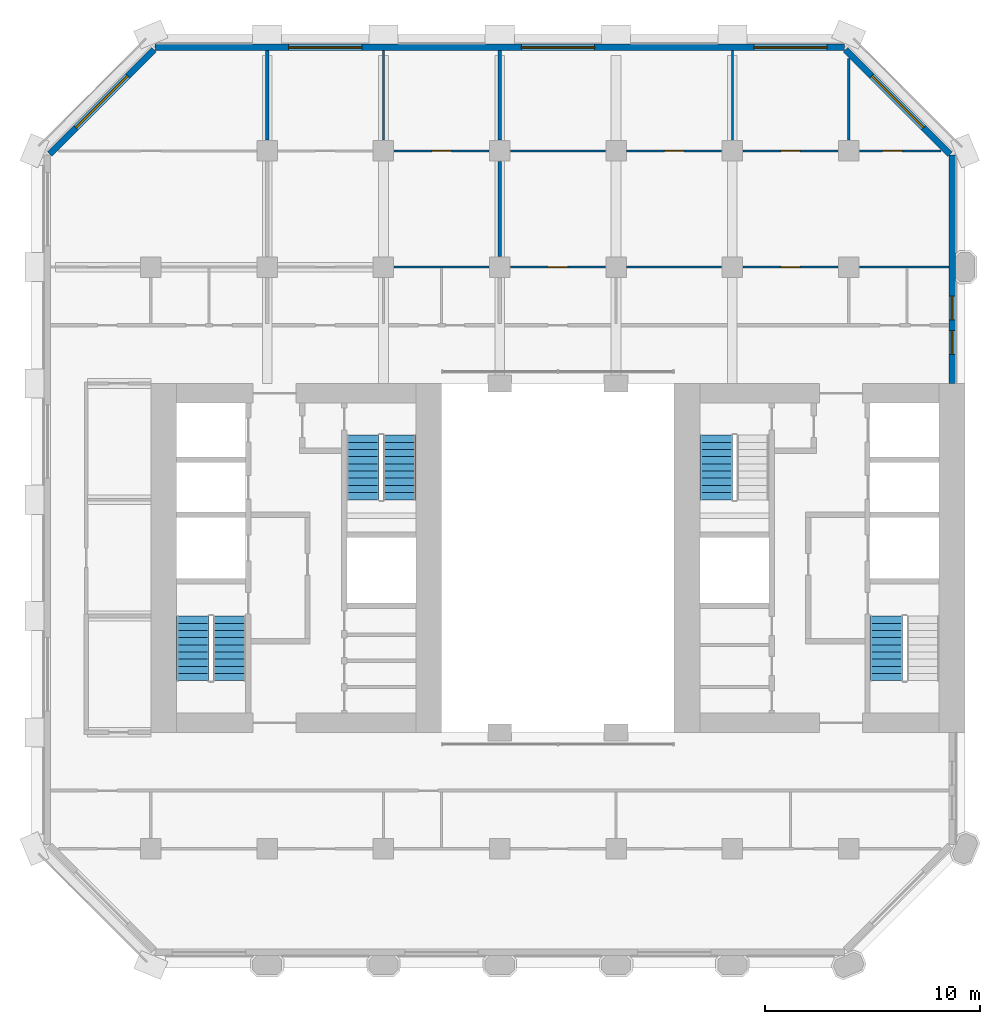
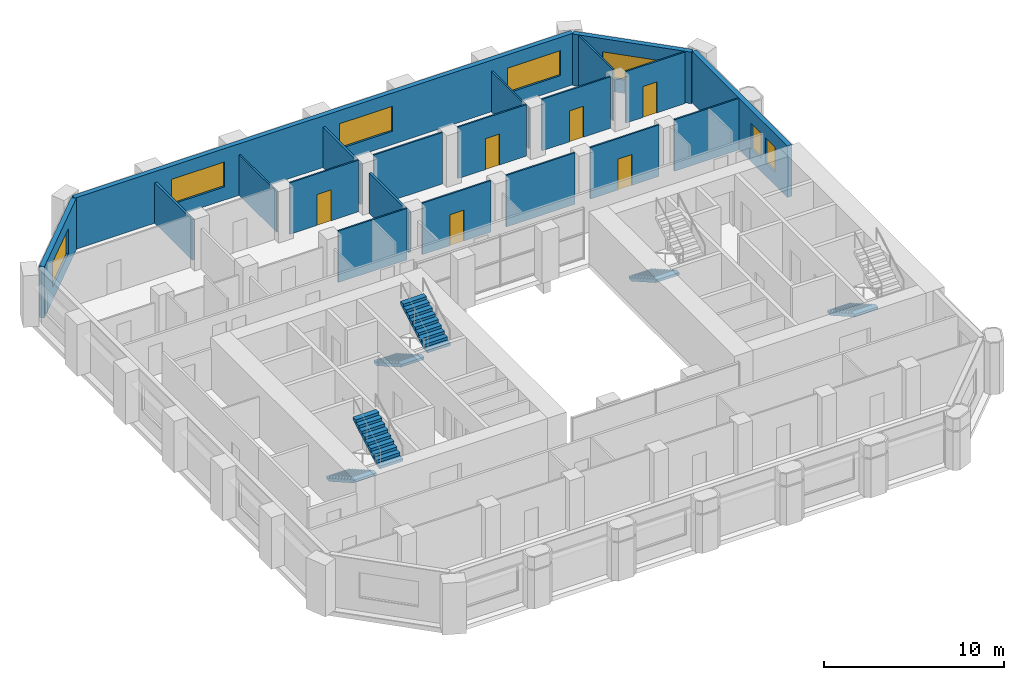
# One storey, part 9 of 13: 20 walls, 7 windows, 6 doors, 6 stair flights, 13 openings, 4 elements without a shape of their own.
"""IFC4 building model written with IfcOpenShell, lengths in metres."""

from ifc_helpers import new_model, si_unit, direction, frame, frame_2d, origin, place, context, subcontext, project, spatial, polyline, rectangle, outline, extrude, material, layer, layer_set, type_object, element, fill, aggregate, save


model = new_model("IFC4")

# Units and contexts
model_context = context("Model", 3, precision=1e-05, world=origin(), true_north=direction((0.0, 1.0)))
body_context = subcontext(model_context, "Body", "Model", "MODEL_VIEW")
ifc_project = project(units=[si_unit("LENGTHUNIT", "METRE"), si_unit("AREAUNIT", "SQUARE_METRE"), si_unit("VOLUMEUNIT", "CUBIC_METRE"), si_unit("PLANEANGLEUNIT", "RADIAN"), si_unit("MASSUNIT", "GRAM", prefix="KILO")], contexts=[model_context])

# Site, building, storey
site_placement = place(None, origin())
site = spatial("IfcSite", under=ifc_project, at=site_placement, CompositionType="ELEMENT")
building_placement = place(site_placement, origin())
building = spatial("IfcBuilding", under=site, at=building_placement, Name="Tabaq Tower and Sports Hall", CompositionType="ELEMENT")
storey_placement = place(building_placement, frame((0.0, 0.0, 103.0)))
storey = spatial("IfcBuildingStorey", under=building, at=storey_placement, Name="L24", CompositionType="ELEMENT", Elevation=103.0)

# Wall
ifc_material_1 = material(Name="Gypsum board on steel studs", Category="steel")
ifc_layer_1 = layer(ifc_material_1, 0.10009765625)
ifc_layer_set_1 = layer_set([ifc_layer_1], Name="Partition 100 Gypsum board")
wall_type_1 = type_object("IfcWallType", Name="Partition 100 Gypsum board", PredefinedType="PARTITIONING", material=ifc_layer_set_1)
wall_1_placement = place(storey_placement, frame((21.10498046875, 37.800048828125, 0.0), z_axis=(0.0, 0.0, 1.0), x_axis=(-1.0, 0.0, 0.0)))
element("IfcWall", 1, at=wall_1_placement, inside=storey, type_object=wall_type_1, Name="Partition wall L24", PredefinedType="PARTITIONING", context=body_context, shape_type="SweptSolid", body=[
    extrude(rectangle(XDim=4.409912109375, YDim=0.10009765625, at=frame_2d((2.205078125, 0.0))), origin(), (0.0, 0.0, 1.0), 3.5),
])

# Wall, opening, door
wall_2_placement = place(storey_placement, frame((21.10498046875, 43.199951171875, 0.0), z_axis=(0.0, 0.0, 1.0), x_axis=(-1.0, 0.0, 0.0)))
wall_2 = element("IfcWall", 2, at=wall_2_placement, inside=storey, type_object=wall_type_1, Name="Partition wall L24", PredefinedType="PARTITIONING", context=body_context, shape_type="SweptSolid", body=[
    extrude(rectangle(XDim=4.409912109375, YDim=0.10009765625, at=frame_2d((2.205078125, 0.0))), origin(), (0.0, 0.0, 1.0), 3.5),
])
opening_1_placement = place(wall_2_placement, frame((1.7548828125, 0.0, 0.0)))
opening_1 = element("IfcOpeningElement", 3, at=opening_1_placement, cuts=wall_2, Name="Opening L24-013", PredefinedType="OPENING", context=body_context, shape_type="SweptSolid", body=[
    extrude(rectangle(XDim=0.89990234375, YDim=2.10009765625, at=frame_2d((0.449951171875, 1.050048828125))), frame((0.0, 0.050048828125, 0.0), z_axis=(0.0, -1.0, 0.0), x_axis=(1.0, 0.0, 0.0)), (0.0, 0.0, 1.0), 0.10009765625),
])
ifc_material_2 = material(Name="Timber leaf in steel frame", Category="steel")
door_type_1 = type_object("IfcDoorType", Name="Internal door 900 right hand", OperationType="SINGLE_SWING_RIGHT", PredefinedType="DOOR", material=ifc_material_2)
door_1_placement = place(opening_1_placement, origin())
door_1 = element("IfcDoor", 4, at=door_1_placement, inside=storey, type_object=door_type_1, Name="Internal door L24-013", OperationType="SINGLE_SWING_RIGHT", OverallHeight=2.10009765625, OverallWidth=0.89990234375, PredefinedType="DOOR", context=body_context, shape_type="SweptSolid", body=[
    extrude(rectangle(XDim=0.89990234375, YDim=2.10009765625, at=frame_2d((0.449951171875, 1.050048828125))), frame((0.0, 0.02490234375, 0.0), z_axis=(0.0, -1.0, 0.0), x_axis=(1.0, 0.0, 0.0)), (0.0, 0.0, 1.0), 0.050048828125),
])
fill(opening_1, door_1)

# Wall
wall_3_placement = place(storey_placement, frame((16.199951171875, 43.695068359375, 0.0), z_axis=(0.0, 0.0, 1.0), x_axis=(0.0, 1.0, 0.0)))
element("IfcWall", 5, at=wall_3_placement, inside=storey, type_object=wall_type_1, Name="Partition wall L24", PredefinedType="PARTITIONING", context=body_context, shape_type="SweptSolid", body=[
    extrude(rectangle(XDim=4.154052734375, YDim=0.10009765625, at=frame_2d((2.0771484375, 0.0))), origin(), (0.0, 0.0, 1.0), 2.75),
])

# Wall, opening, door
wall_4_placement = place(storey_placement, frame((26.5048828125, 37.800048828125, 0.0), z_axis=(0.0, 0.0, 1.0), x_axis=(-1.0, 0.0, 0.0)))
wall_4 = element("IfcWall", 6, at=wall_4_placement, inside=storey, type_object=wall_type_1, Name="Partition wall L24", PredefinedType="PARTITIONING", context=body_context, shape_type="SweptSolid", body=[
    extrude(rectangle(XDim=4.409912109375, YDim=0.10009765625, at=frame_2d((2.205078125, 0.0))), origin(), (0.0, 0.0, 1.0), 3.5),
])
opening_2_placement = place(wall_4_placement, frame((1.7548828125, 0.0, 0.0)))
opening_2 = element("IfcOpeningElement", 7, at=opening_2_placement, cuts=wall_4, Name="Opening L24-028", PredefinedType="OPENING", context=body_context, shape_type="SweptSolid", body=[
    extrude(rectangle(XDim=0.89990234375, YDim=2.10009765625, at=frame_2d((0.449951171875, 1.050048828125))), frame((0.0, 0.050048828125, 0.0), z_axis=(0.0, -1.0, 0.0), x_axis=(1.0, 0.0, 0.0)), (0.0, 0.0, 1.0), 0.10009765625),
])
door_2_placement = place(opening_2_placement, origin())
door_2 = element("IfcDoor", 8, at=door_2_placement, inside=storey, type_object=door_type_1, Name="Internal door L24-028", OperationType="SINGLE_SWING_RIGHT", OverallHeight=2.10009765625, OverallWidth=0.89990234375, PredefinedType="DOOR", context=body_context, shape_type="SweptSolid", body=[
    extrude(rectangle(XDim=0.89990234375, YDim=2.10009765625, at=frame_2d((0.449951171875, 1.050048828125))), frame((0.0, 0.02490234375, 0.0), z_axis=(0.0, -1.0, 0.0), x_axis=(1.0, 0.0, 0.0)), (0.0, 0.0, 1.0), 0.050048828125),
])
fill(opening_2, door_2)

wall_5_placement = place(storey_placement, frame((37.304931640625, 37.800048828125, 0.0), z_axis=(0.0, 0.0, 1.0), x_axis=(-1.0, 0.0, 0.0)))
wall_5 = element("IfcWall", 9, at=wall_5_placement, inside=storey, type_object=wall_type_1, Name="Partition wall L24", PredefinedType="PARTITIONING", context=body_context, shape_type="SweptSolid", body=[
    extrude(rectangle(XDim=4.409912109375, YDim=0.10009765625, at=frame_2d((2.205078125, 0.0))), origin(), (0.0, 0.0, 1.0), 3.5),
])
opening_3_placement = place(wall_5_placement, frame((1.7548828125, 0.0, 0.0)))
opening_3 = element("IfcOpeningElement", 10, at=opening_3_placement, cuts=wall_5, Name="Opening L24-014", PredefinedType="OPENING", context=body_context, shape_type="SweptSolid", body=[
    extrude(rectangle(XDim=0.89990234375, YDim=2.10009765625, at=frame_2d((0.449951171875, 1.050048828125))), frame((0.0, 0.050048828125, 0.0), z_axis=(0.0, -1.0, 0.0), x_axis=(1.0, 0.0, 0.0)), (0.0, 0.0, 1.0), 0.10009765625),
])
ifc_material_3 = material(Name="Timber leaf in steel frame", Category="steel")
door_type_2 = type_object("IfcDoorType", Name="Internal door 900 left hand", OperationType="SINGLE_SWING_LEFT", PredefinedType="DOOR", material=ifc_material_3)
door_3_placement = place(opening_3_placement, origin())
door_3 = element("IfcDoor", 11, at=door_3_placement, inside=storey, type_object=door_type_2, Name="Internal door L24-014", OperationType="SINGLE_SWING_LEFT", OverallHeight=2.10009765625, OverallWidth=0.89990234375, PredefinedType="DOOR", context=body_context, shape_type="SweptSolid", body=[
    extrude(rectangle(XDim=0.89990234375, YDim=2.10009765625, at=frame_2d((0.449951171875, 1.050048828125))), frame((0.0, 0.02490234375, 0.0), z_axis=(0.0, -1.0, 0.0), x_axis=(1.0, 0.0, 0.0)), (0.0, 0.0, 1.0), 0.050048828125),
])
fill(opening_3, door_3)

# Walls
wall_6_placement = place(storey_placement, frame((31.905029296875, 37.800048828125, 0.0), z_axis=(0.0, 0.0, 1.0), x_axis=(-1.0, 0.0, 0.0)))
element("IfcWall", 12, at=wall_6_placement, inside=storey, type_object=wall_type_1, Name="Partition wall L24", PredefinedType="PARTITIONING", context=body_context, shape_type="SweptSolid", body=[
    extrude(rectangle(XDim=4.409912109375, YDim=0.10009765625, at=frame_2d((2.205078125, 0.0))), origin(), (0.0, 0.0, 1.0), 3.5),
])
wall_7_placement = place(storey_placement, frame((42.448974609375, 37.800048828125, 0.0), z_axis=(0.0, 0.0, 1.0), x_axis=(-1.0, 0.0, 0.0)))
element("IfcWall", 13, at=wall_7_placement, inside=storey, type_object=wall_type_1, Name="Partition wall L24", PredefinedType="PARTITIONING", context=body_context, shape_type="SweptSolid", body=[
    extrude(rectangle(XDim=4.154052734375, YDim=0.10009765625, at=frame_2d((2.0771484375, 0.0))), origin(), (0.0, 0.0, 1.0), 3.5),
])

# Wall, opening, door
wall_8_placement = place(storey_placement, frame((42.087890625, 43.199951171875, 0.0), z_axis=(0.0, 0.0, 1.0), x_axis=(-1.0, 0.0, 0.0)))
wall_8 = element("IfcWall", 14, at=wall_8_placement, inside=storey, type_object=wall_type_1, Name="Partition wall L24", PredefinedType="PARTITIONING", context=body_context, shape_type="SweptSolid", body=[
    extrude(rectangle(XDim=3.79296875, YDim=0.10009765625, at=frame_2d((1.896484375, 0.0))), origin(), (0.0, 0.0, 1.0), 3.5),
])
opening_4_placement = place(wall_8_placement, frame((1.81298828125, 0.0, 0.0)))
opening_4 = element("IfcOpeningElement", 15, at=opening_4_placement, cuts=wall_8, Name="Opening L24-017", PredefinedType="OPENING", context=body_context, shape_type="SweptSolid", body=[
    extrude(rectangle(XDim=0.89990234375, YDim=2.10009765625, at=frame_2d((0.449951171875, 1.050048828125))), frame((0.0, 0.050048828125, 0.0), z_axis=(0.0, -1.0, 0.0), x_axis=(1.0, 0.0, 0.0)), (0.0, 0.0, 1.0), 0.10009765625),
])
door_4_placement = place(opening_4_placement, origin())
door_4 = element("IfcDoor", 16, at=door_4_placement, inside=storey, type_object=door_type_2, Name="Internal door L24-017", OperationType="SINGLE_SWING_LEFT", OverallHeight=2.10009765625, OverallWidth=0.89990234375, PredefinedType="DOOR", context=body_context, shape_type="SweptSolid", body=[
    extrude(rectangle(XDim=0.89990234375, YDim=2.10009765625, at=frame_2d((0.449951171875, 1.050048828125))), frame((0.0, 0.02490234375, 0.0), z_axis=(0.0, -1.0, 0.0), x_axis=(1.0, 0.0, 0.0)), (0.0, 0.0, 1.0), 0.050048828125),
])
fill(opening_4, door_4)

wall_9_placement = place(storey_placement, frame((37.304931640625, 43.199951171875, 0.0), z_axis=(0.0, 0.0, 1.0), x_axis=(-1.0, 0.0, 0.0)))
wall_9 = element("IfcWall", 17, at=wall_9_placement, inside=storey, type_object=wall_type_1, Name="Partition wall L24", PredefinedType="PARTITIONING", context=body_context, shape_type="SweptSolid", body=[
    extrude(rectangle(XDim=4.409912109375, YDim=0.10009765625, at=frame_2d((2.205078125, 0.0))), origin(), (0.0, 0.0, 1.0), 3.5),
])
opening_5_placement = place(wall_9_placement, frame((1.7548828125, 0.0, 0.0)))
opening_5 = element("IfcOpeningElement", 18, at=opening_5_placement, cuts=wall_9, Name="Opening L24-016", PredefinedType="OPENING", context=body_context, shape_type="SweptSolid", body=[
    extrude(rectangle(XDim=0.89990234375, YDim=2.10009765625, at=frame_2d((0.449951171875, 1.050048828125))), frame((0.0, 0.050048828125, 0.0), z_axis=(0.0, -1.0, 0.0), x_axis=(1.0, 0.0, 0.0)), (0.0, 0.0, 1.0), 0.10009765625),
])
door_5_placement = place(opening_5_placement, origin())
door_5 = element("IfcDoor", 19, at=door_5_placement, inside=storey, type_object=door_type_2, Name="Internal door L24-016", OperationType="SINGLE_SWING_LEFT", OverallHeight=2.10009765625, OverallWidth=0.89990234375, PredefinedType="DOOR", context=body_context, shape_type="SweptSolid", body=[
    extrude(rectangle(XDim=0.89990234375, YDim=2.10009765625, at=frame_2d((0.449951171875, 1.050048828125))), frame((0.0, 0.02490234375, 0.0), z_axis=(0.0, -1.0, 0.0), x_axis=(1.0, 0.0, 0.0)), (0.0, 0.0, 1.0), 0.050048828125),
])
fill(opening_5, door_5)

wall_10_placement = place(storey_placement, frame((31.905029296875, 43.199951171875, 0.0), z_axis=(0.0, 0.0, 1.0), x_axis=(-1.0, 0.0, 0.0)))
wall_10 = element("IfcWall", 20, at=wall_10_placement, inside=storey, type_object=wall_type_1, Name="Partition wall L24", PredefinedType="PARTITIONING", context=body_context, shape_type="SweptSolid", body=[
    extrude(rectangle(XDim=4.409912109375, YDim=0.10009765625, at=frame_2d((2.205078125, 0.0))), origin(), (0.0, 0.0, 1.0), 3.5),
])
opening_6_placement = place(wall_10_placement, frame((1.7548828125, 0.0, 0.0)))
opening_6 = element("IfcOpeningElement", 21, at=opening_6_placement, cuts=wall_10, Name="Opening L24-015", PredefinedType="OPENING", context=body_context, shape_type="SweptSolid", body=[
    extrude(rectangle(XDim=0.89990234375, YDim=2.10009765625, at=frame_2d((0.449951171875, 1.050048828125))), frame((0.0, 0.050048828125, 0.0), z_axis=(0.0, -1.0, 0.0), x_axis=(1.0, 0.0, 0.0)), (0.0, 0.0, 1.0), 0.10009765625),
])
door_6_placement = place(opening_6_placement, origin())
door_6 = element("IfcDoor", 22, at=door_6_placement, inside=storey, type_object=door_type_2, Name="Internal door L24-015", OperationType="SINGLE_SWING_LEFT", OverallHeight=2.10009765625, OverallWidth=0.89990234375, PredefinedType="DOOR", context=body_context, shape_type="SweptSolid", body=[
    extrude(rectangle(XDim=0.89990234375, YDim=2.10009765625, at=frame_2d((0.449951171875, 1.050048828125))), frame((0.0, 0.02490234375, 0.0), z_axis=(0.0, -1.0, 0.0), x_axis=(1.0, 0.0, 0.0)), (0.0, 0.0, 1.0), 0.050048828125),
])
fill(opening_6, door_6)

# Walls
wall_11_placement = place(storey_placement, frame((26.5048828125, 43.199951171875, 0.0), z_axis=(0.0, 0.0, 1.0), x_axis=(-1.0, 0.0, 0.0)))
element("IfcWall", 23, at=wall_11_placement, inside=storey, type_object=wall_type_1, Name="Partition wall L24", PredefinedType="PARTITIONING", context=body_context, shape_type="SweptSolid", body=[
    extrude(rectangle(XDim=4.409912109375, YDim=0.10009765625, at=frame_2d((2.205078125, 0.0))), origin(), (0.0, 0.0, 1.0), 3.5),
])
wall_12_placement = place(storey_placement, frame((32.39990234375, 43.695068359375, 0.0), z_axis=(0.0, 0.0, 1.0), x_axis=(0.0, 1.0, 0.0)))
element("IfcWall", 24, at=wall_12_placement, inside=storey, type_object=wall_type_1, Name="Partition wall L24", PredefinedType="PARTITIONING", context=body_context, shape_type="SweptSolid", body=[
    extrude(rectangle(XDim=4.154052734375, YDim=0.10009765625, at=frame_2d((2.0771484375, 0.0))), origin(), (0.0, 0.0, 1.0), 2.75),
])
wall_13_placement = place(storey_placement, frame((37.800048828125, 43.695068359375, 0.0), z_axis=(0.0, 0.0, 1.0), x_axis=(0.0, 1.0, 0.0)))
element("IfcWall", 25, at=wall_13_placement, inside=storey, type_object=wall_type_1, Name="Partition wall L24", PredefinedType="PARTITIONING", context=body_context, shape_type="SweptSolid", body=[
    extrude(rectangle(XDim=3.792724609375, YDim=0.10009765625, at=frame_2d((1.896484375, 0.0))), origin(), (0.0, 0.0, 1.0), 3.5),
])
ifc_material_4 = material(Name="Blockwork", Category="masonry")
ifc_layer_2 = layer(ifc_material_4, 0.14990234375)
ifc_layer_set_2 = layer_set([ifc_layer_2], Name="Separating wall 150 Blockwork")
wall_type_2 = type_object("IfcWallType", Name="Separating wall 150 Blockwork", PredefinedType="PARTITIONING", material=ifc_layer_set_2)
wall_14_placement = place(storey_placement, frame((10.800048828125, 43.695068359375, 0.0), z_axis=(0.0, 0.0, 1.0), x_axis=(0.0, 1.0, 0.0)))
element("IfcWall", 26, at=wall_14_placement, inside=storey, type_object=wall_type_2, Name="Separating wall L24", PredefinedType="PARTITIONING", context=body_context, shape_type="SweptSolid", body=[
    extrude(rectangle(XDim=4.154052734375, YDim=0.14990234375, at=frame_2d((2.0771484375, 0.0))), origin(), (0.0, 0.0, 1.0), 2.75),
])
wall_15_placement = place(storey_placement, frame((21.60009765625, 38.294921875, 0.0), z_axis=(0.0, 0.0, 1.0), x_axis=(0.0, 1.0, 0.0)))
element("IfcWall", 27, at=wall_15_placement, inside=storey, type_object=wall_type_2, Name="Separating wall L24", PredefinedType="PARTITIONING", context=body_context, shape_type="SweptSolid", body=[
    extrude(rectangle(XDim=4.41015625, YDim=0.14990234375, at=frame_2d((2.205078125, 0.0))), origin(), (0.0, 0.0, 1.0), 2.75),
])
wall_16_placement = place(storey_placement, frame((21.60009765625, 43.695068359375, 0.0), z_axis=(0.0, 0.0, 1.0), x_axis=(0.0, 1.0, 0.0)))
element("IfcWall", 28, at=wall_16_placement, inside=storey, type_object=wall_type_2, Name="Separating wall L24", PredefinedType="PARTITIONING", context=body_context, shape_type="SweptSolid", body=[
    extrude(rectangle(XDim=4.154052734375, YDim=0.14990234375, at=frame_2d((2.0771484375, 0.0))), origin(), (0.0, 0.0, 1.0), 2.75),
])

# Wall, openings, windows
ifc_material_5 = material(Name="White precast concrete C60/75", Category="concrete")
ifc_layer_3 = layer(ifc_material_5, 0.300048828125)
ifc_layer_set_3 = layer_set([ifc_layer_3], Name="White precast concrete C60/75 external wall 300")
wall_type_3 = type_object("IfcWallType", Name="White precast concrete C60/75 external wall 300", PredefinedType="SOLIDWALL", material=ifc_layer_set_3)
wall_17_placement = place(storey_placement, frame((42.60009765625, 32.39990234375, 0.0), z_axis=(0.0, 0.0, 1.0), x_axis=(0.0, 1.0, 0.0)))
wall_17 = element("IfcWall", 29, at=wall_17_placement, inside=storey, type_object=wall_type_3, Name="External Wall L24 E", PredefinedType="SOLIDWALL", context=body_context, shape_type="SweptSolid", body=[
    extrude(rectangle(XDim=10.61376953125, YDim=0.300048828125, at=frame_2d((5.306884765625, 0.0))), origin(), (0.0, 0.0, 1.0), 3.5),
])
opening_7_placement = place(wall_17_placement, frame((1.35009765625, 0.0, 0.89990234375)))
opening_7 = element("IfcOpeningElement", 30, at=opening_7_placement, cuts=wall_17, Name="Opening W1B", PredefinedType="OPENING", context=body_context, shape_type="SweptSolid", body=[
    extrude(rectangle(XDim=1.10009765625, YDim=1.699951171875, at=frame_2d((0.550048828125, 0.85009765625))), frame((0.0, 0.16015625, 0.0), z_axis=(0.0, -1.0, 0.0), x_axis=(1.0, 0.0, 0.0)), (0.0, 0.0, 1.0), 0.320068359375),
])
opening_8_placement = place(wall_17_placement, frame((2.949951171875, 0.0, 0.89990234375)))
opening_8 = element("IfcOpeningElement", 31, at=opening_8_placement, cuts=wall_17, Name="Opening W1B", PredefinedType="OPENING", context=body_context, shape_type="SweptSolid", body=[
    extrude(rectangle(XDim=1.10009765625, YDim=1.699951171875, at=frame_2d((0.550048828125, 0.85009765625))), frame((0.0, 0.16015625, 0.0), z_axis=(0.0, -1.0, 0.0), x_axis=(1.0, 0.0, 0.0)), (0.0, 0.0, 1.0), 0.320068359375),
])
ifc_material_6 = material(Name="Aluminium framed clear glazing", Category="aluminium")
window_type_1 = type_object("IfcWindowType", Name="Window W1B", PartitioningType="SINGLE_PANEL", PredefinedType="WINDOW", material=ifc_material_6)
window_1_placement = place(opening_7_placement, origin())
window_1 = element("IfcWindow", 32, at=window_1_placement, inside=storey, type_object=window_type_1, Name="Window W1B L24", OverallHeight=1.699951171875, OverallWidth=1.10009765625, PartitioningType="SINGLE_PANEL", PredefinedType="WINDOW", context=body_context, shape_type="SweptSolid", body=[
    extrude(rectangle(XDim=1.10009765625, YDim=1.699951171875, at=frame_2d((0.550048828125, 0.85009765625))), frame((0.0, 0.030029296875, 0.0), z_axis=(0.0, -1.0, 0.0), x_axis=(1.0, 0.0, 0.0)), (0.0, 0.0, 1.0), 0.06005859375),
])
fill(opening_7, window_1)
window_2_placement = place(opening_8_placement, origin())
window_2 = element("IfcWindow", 33, at=window_2_placement, inside=storey, type_object=window_type_1, Name="Window W1B L24", OverallHeight=1.699951171875, OverallWidth=1.10009765625, PartitioningType="SINGLE_PANEL", PredefinedType="WINDOW", context=body_context, shape_type="SweptSolid", body=[
    extrude(rectangle(XDim=1.10009765625, YDim=1.699951171875, at=frame_2d((0.550048828125, 0.85009765625))), frame((0.0, 0.030029296875, 0.0), z_axis=(0.0, -1.0, 0.0), x_axis=(1.0, 0.0, 0.0)), (0.0, 0.0, 1.0), 0.06005859375),
])
fill(opening_8, window_2)

# Wall, opening, window
wall_18_placement = place(storey_placement, frame((42.5009765625, 43.050537109375, 0.0), z_axis=(0.0, 0.0, 1.0), x_axis=(-0.707106781187, 0.707106781187, 0.0)))
wall_18 = element("IfcWall", 34, at=wall_18_placement, inside=storey, type_object=wall_type_3, Name="External Wall L24 NE", PredefinedType="SOLIDWALL", context=body_context, shape_type="SweptSolid", body=[
    extrude(rectangle(XDim=6.85986328125, YDim=0.300048828125, at=frame_2d((3.429931640625, 0.0))), origin(), (0.0, 0.0, 1.0), 3.5),
])
opening_9_placement = place(wall_18_placement, frame((1.729736328125, 0.0, 0.89990234375)))
opening_9 = element("IfcOpeningElement", 35, at=opening_9_placement, cuts=wall_18, Name="Opening W1A", PredefinedType="OPENING", context=body_context, shape_type="SweptSolid", body=[
    extrude(rectangle(XDim=3.39990234375, YDim=1.699951171875, at=frame_2d((1.699951171875, 0.85009765625))), frame((0.0, 0.16015625, 0.0), z_axis=(0.0, -1.0, 0.0), x_axis=(1.0, 0.0, 0.0)), (0.0, 0.0, 1.0), 0.320068359375),
])
ifc_material_7 = material(Name="Aluminium framed clear glazing", Category="aluminium")
window_type_2 = type_object("IfcWindowType", Name="Window W1A", PartitioningType="SINGLE_PANEL", PredefinedType="WINDOW", material=ifc_material_7)
window_3_placement = place(opening_9_placement, origin())
window_3 = element("IfcWindow", 36, at=window_3_placement, inside=storey, type_object=window_type_2, Name="Window W1A L24", OverallHeight=1.699951171875, OverallWidth=3.39990234375, PartitioningType="SINGLE_PANEL", PredefinedType="WINDOW", context=body_context, shape_type="SweptSolid", body=[
    extrude(rectangle(XDim=3.39990234375, YDim=1.699951171875, at=frame_2d((1.699951171875, 0.85009765625))), frame((0.0, 0.030029296875, 0.0), z_axis=(0.0, -1.0, 0.0), x_axis=(1.0, 0.0, 0.0)), (0.0, 0.0, 1.0), 0.06005859375),
])
fill(opening_9, window_3)

# Wall, openings, windows
wall_19_placement = place(storey_placement, frame((37.613525390625, 48.0, 0.0), z_axis=(0.0, 0.0, 1.0), x_axis=(-1.0, 0.0, 0.0)))
wall_19 = element("IfcWall", 37, at=wall_19_placement, inside=storey, type_object=wall_type_3, Name="External Wall L24 N", PredefinedType="SOLIDWALL", context=body_context, shape_type="SweptSolid", body=[
    extrude(rectangle(XDim=32.027099609375, YDim=0.300048828125, at=frame_2d((16.013671875, 0.0))), origin(), (0.0, 0.0, 1.0), 3.5),
])
opening_10_placement = place(wall_19_placement, frame((0.813720703125, 0.0, 0.89990234375)))
opening_10 = element("IfcOpeningElement", 38, at=opening_10_placement, cuts=wall_19, Name="Opening W1A", PredefinedType="OPENING", context=body_context, shape_type="SweptSolid", body=[
    extrude(rectangle(XDim=3.39990234375, YDim=1.699951171875, at=frame_2d((1.699951171875, 0.85009765625))), frame((0.0, 0.16015625, 0.0), z_axis=(0.0, -1.0, 0.0), x_axis=(1.0, 0.0, 0.0)), (0.0, 0.0, 1.0), 0.320068359375),
])
opening_11_placement = place(wall_19_placement, frame((11.613525390625, 0.0, 0.89990234375)))
opening_11 = element("IfcOpeningElement", 39, at=opening_11_placement, cuts=wall_19, Name="Opening W1A", PredefinedType="OPENING", context=body_context, shape_type="SweptSolid", body=[
    extrude(rectangle(XDim=3.39990234375, YDim=1.699951171875, at=frame_2d((1.699951171875, 0.85009765625))), frame((0.0, 0.16015625, 0.0), z_axis=(0.0, -1.0, 0.0), x_axis=(1.0, 0.0, 0.0)), (0.0, 0.0, 1.0), 0.320068359375),
])
opening_12_placement = place(wall_19_placement, frame((22.41357421875, 0.0, 0.89990234375)))
opening_12 = element("IfcOpeningElement", 40, at=opening_12_placement, cuts=wall_19, Name="Opening W1A", PredefinedType="OPENING", context=body_context, shape_type="SweptSolid", body=[
    extrude(rectangle(XDim=3.39990234375, YDim=1.699951171875, at=frame_2d((1.699951171875, 0.85009765625))), frame((0.0, 0.16015625, 0.0), z_axis=(0.0, -1.0, 0.0), x_axis=(1.0, 0.0, 0.0)), (0.0, 0.0, 1.0), 0.320068359375),
])
window_4_placement = place(opening_10_placement, origin())
window_4 = element("IfcWindow", 41, at=window_4_placement, inside=storey, type_object=window_type_2, Name="Window W1A L24", OverallHeight=1.699951171875, OverallWidth=3.39990234375, PartitioningType="SINGLE_PANEL", PredefinedType="WINDOW", context=body_context, shape_type="SweptSolid", body=[
    extrude(rectangle(XDim=3.39990234375, YDim=1.699951171875, at=frame_2d((1.699951171875, 0.85009765625))), frame((0.0, 0.030029296875, 0.0), z_axis=(0.0, -1.0, 0.0), x_axis=(1.0, 0.0, 0.0)), (0.0, 0.0, 1.0), 0.06005859375),
])
fill(opening_10, window_4)
window_5_placement = place(opening_11_placement, origin())
window_5 = element("IfcWindow", 42, at=window_5_placement, inside=storey, type_object=window_type_2, Name="Window W1A L24", OverallHeight=1.699951171875, OverallWidth=3.39990234375, PartitioningType="SINGLE_PANEL", PredefinedType="WINDOW", context=body_context, shape_type="SweptSolid", body=[
    extrude(rectangle(XDim=3.39990234375, YDim=1.699951171875, at=frame_2d((1.699951171875, 0.85009765625))), frame((0.0, 0.030029296875, 0.0), z_axis=(0.0, -1.0, 0.0), x_axis=(1.0, 0.0, 0.0)), (0.0, 0.0, 1.0), 0.06005859375),
])
fill(opening_11, window_5)
window_6_placement = place(opening_12_placement, origin())
window_6 = element("IfcWindow", 43, at=window_6_placement, inside=storey, type_object=window_type_2, Name="Window W1A L24", OverallHeight=1.699951171875, OverallWidth=3.39990234375, PartitioningType="SINGLE_PANEL", PredefinedType="WINDOW", context=body_context, shape_type="SweptSolid", body=[
    extrude(rectangle(XDim=3.39990234375, YDim=1.699951171875, at=frame_2d((1.699951171875, 0.85009765625))), frame((0.0, 0.030029296875, 0.0), z_axis=(0.0, -1.0, 0.0), x_axis=(1.0, 0.0, 0.0)), (0.0, 0.0, 1.0), 0.06005859375),
])
fill(opening_12, window_6)

# Wall, opening, window
wall_20_placement = place(storey_placement, frame((5.549560546875, 47.901123046875, 0.0), z_axis=(0.0, 0.0, 1.0), x_axis=(-0.707106781187, -0.707106781187, 0.0)))
wall_20 = element("IfcWall", 44, at=wall_20_placement, inside=storey, type_object=wall_type_3, Name="External Wall L24 NW", PredefinedType="SOLIDWALL", context=body_context, shape_type="SweptSolid", body=[
    extrude(rectangle(XDim=6.85986328125, YDim=0.300048828125, at=frame_2d((3.429931640625, 0.0))), origin(), (0.0, 0.0, 1.0), 3.5),
])
opening_13_placement = place(wall_20_placement, frame((1.729736328125, 0.0, 0.89990234375)))
opening_13 = element("IfcOpeningElement", 45, at=opening_13_placement, cuts=wall_20, Name="Opening W1A", PredefinedType="OPENING", context=body_context, shape_type="SweptSolid", body=[
    extrude(rectangle(XDim=3.39990234375, YDim=1.699951171875, at=frame_2d((1.699951171875, 0.85009765625))), frame((0.0, 0.16015625, 0.0), z_axis=(0.0, -1.0, 0.0), x_axis=(1.0, 0.0, 0.0)), (0.0, 0.0, 1.0), 0.320068359375),
])
window_7_placement = place(opening_13_placement, origin())
window_7 = element("IfcWindow", 46, at=window_7_placement, inside=storey, type_object=window_type_2, Name="Window W1A L24", OverallHeight=1.699951171875, OverallWidth=3.39990234375, PartitioningType="SINGLE_PANEL", PredefinedType="WINDOW", context=body_context, shape_type="SweptSolid", body=[
    extrude(rectangle(XDim=3.39990234375, YDim=1.699951171875, at=frame_2d((1.699951171875, 0.85009765625))), frame((0.0, 0.030029296875, 0.0), z_axis=(0.0, -1.0, 0.0), x_axis=(1.0, 0.0, 0.0)), (0.0, 0.0, 1.0), 0.06005859375),
])
fill(opening_13, window_7)

# Stair, stair flights
ifc_material_8 = material(Name="Concrete C40/50", Category="concrete")
stair_type = type_object("IfcStairType", Name="Exit stair", PredefinedType="HALF_TURN_STAIR", material=ifc_material_8)
stair_1_placement = place(storey_placement, origin())
stair_1 = element("IfcStair", 47, at=stair_1_placement, inside=storey, type_object=stair_type, Name="L24 Exit stair ST1", PredefinedType="HALF_TURN_STAIR")
ifc_material_9 = material(Name="Concrete C40/50", Category="concrete")
stair_flight_type = type_object("IfcStairFlightType", Name="Exit stair flight", PredefinedType="STRAIGHT", material=ifc_material_9)
stair_flight_1_placement = place(storey_placement, frame((7.35009765625, 21.60009765625, 0.0), z_axis=(0.0, 0.0, 1.0), x_axis=(0.0, -1.0, 0.0)))
stair_flight_1 = element("IfcStairFlight", 48, at=stair_flight_1_placement, type_object=stair_flight_type, Name="ST1 flight 1", NumberOfRisers=10, NumberOfTreads=9, PredefinedType="STRAIGHT", RiserHeight=0.19, TreadLength=0.333333333, context=body_context, shape_type="SweptSolid", body=[
    extrude(outline(polyline([(0.0, 0.0), (0.0, 0.18994140625), (0.333251953125, 0.18994140625), (0.333251953125, 0.3798828125), (0.666748046875, 0.3798828125), (0.666748046875, 0.570068359375), (1.0, 0.570068359375), (1.0, 0.760009765625), (1.333251953125, 0.760009765625), (1.333251953125, 0.949951171875), (1.666748046875, 0.949951171875), (1.666748046875, 1.139892578125), (2.0, 1.139892578125), (2.0, 1.330078125), (2.333251953125, 1.330078125), (2.333251953125, 1.52001953125), (2.666748046875, 1.52001953125), (2.666748046875, 1.7099609375), (3.0, 1.7099609375), (3.0, 1.89990234375), (3.0, 1.537353515625), (0.302734375, 0.0), (0.0, 0.0)])), frame((0.0, 0.75, 0.0), z_axis=(0.0, -1.0, 0.0), x_axis=(1.0, 0.0, 0.0)), (0.0, 0.0, 1.0), 1.5),
])
stair_flight_2_placement = place(storey_placement, frame((9.050048828125, 18.60009765625, 1.89990234375), z_axis=(0.0, 0.0, 1.0), x_axis=(0.0, 1.0, 0.0)))
stair_flight_2 = element("IfcStairFlight", 49, at=stair_flight_2_placement, type_object=stair_flight_type, Name="ST1 flight 2", NumberOfRisers=10, NumberOfTreads=9, PredefinedType="STRAIGHT", RiserHeight=0.19, TreadLength=0.333333333, context=body_context, shape_type="SweptSolid", body=[
    extrude(outline(polyline([(0.0, 0.0), (0.0, 0.18994140625), (0.333251953125, 0.18994140625), (0.333251953125, 0.3798828125), (0.666748046875, 0.3798828125), (0.666748046875, 0.570068359375), (1.0, 0.570068359375), (1.0, 0.760009765625), (1.333251953125, 0.760009765625), (1.333251953125, 0.949951171875), (1.666748046875, 0.949951171875), (1.666748046875, 1.139892578125), (2.0, 1.139892578125), (2.0, 1.330078125), (2.333251953125, 1.330078125), (2.333251953125, 1.52001953125), (2.666748046875, 1.52001953125), (2.666748046875, 1.7099609375), (3.0, 1.7099609375), (3.0, 1.89990234375), (3.0, 1.537353515625), (0.302734375, 0.0), (0.0, 0.0)])), frame((0.0, 0.75, 0.0), z_axis=(0.0, -1.0, 0.0), x_axis=(1.0, 0.0, 0.0)), (0.0, 0.0, 1.0), 1.5),
])
aggregate(stair_1, [stair_flight_1, stair_flight_2])

stair_2_placement = place(storey_placement, origin())
stair_2 = element("IfcStair", 50, at=stair_2_placement, inside=storey, type_object=stair_type, Name="L24 Exit stair ST2", PredefinedType="HALF_TURN_STAIR")
stair_flight_3_placement = place(storey_placement, frame((15.25, 30.0, 0.0), z_axis=(0.0, 0.0, 1.0), x_axis=(0.0, -1.0, 0.0)))
stair_flight_3 = element("IfcStairFlight", 51, at=stair_flight_3_placement, type_object=stair_flight_type, Name="ST2 flight 1", NumberOfRisers=10, NumberOfTreads=9, PredefinedType="STRAIGHT", RiserHeight=0.19, TreadLength=0.333333333, context=body_context, shape_type="SweptSolid", body=[
    extrude(outline(polyline([(0.0, 0.0), (0.0, 0.18994140625), (0.333251953125, 0.18994140625), (0.333251953125, 0.3798828125), (0.666748046875, 0.3798828125), (0.666748046875, 0.570068359375), (1.0, 0.570068359375), (1.0, 0.760009765625), (1.333251953125, 0.760009765625), (1.333251953125, 0.949951171875), (1.666748046875, 0.949951171875), (1.666748046875, 1.139892578125), (2.0, 1.139892578125), (2.0, 1.330078125), (2.333251953125, 1.330078125), (2.333251953125, 1.52001953125), (2.666748046875, 1.52001953125), (2.666748046875, 1.7099609375), (3.0, 1.7099609375), (3.0, 1.89990234375), (3.0, 1.537353515625), (0.302734375, 0.0), (0.0, 0.0)])), frame((0.0, 0.75, 0.0), z_axis=(0.0, -1.0, 0.0), x_axis=(1.0, 0.0, 0.0)), (0.0, 0.0, 1.0), 1.5),
])
stair_flight_4_placement = place(storey_placement, frame((16.949951171875, 27.0, 1.89990234375), z_axis=(0.0, 0.0, 1.0), x_axis=(0.0, 1.0, 0.0)))
stair_flight_4 = element("IfcStairFlight", 52, at=stair_flight_4_placement, type_object=stair_flight_type, Name="ST2 flight 2", NumberOfRisers=10, NumberOfTreads=9, PredefinedType="STRAIGHT", RiserHeight=0.19, TreadLength=0.333333333, context=body_context, shape_type="SweptSolid", body=[
    extrude(outline(polyline([(0.0, 0.0), (0.0, 0.18994140625), (0.333251953125, 0.18994140625), (0.333251953125, 0.3798828125), (0.666748046875, 0.3798828125), (0.666748046875, 0.570068359375), (1.0, 0.570068359375), (1.0, 0.760009765625), (1.333251953125, 0.760009765625), (1.333251953125, 0.949951171875), (1.666748046875, 0.949951171875), (1.666748046875, 1.139892578125), (2.0, 1.139892578125), (2.0, 1.330078125), (2.333251953125, 1.330078125), (2.333251953125, 1.52001953125), (2.666748046875, 1.52001953125), (2.666748046875, 1.7099609375), (3.0, 1.7099609375), (3.0, 1.89990234375), (3.0, 1.537353515625), (0.302734375, 0.0), (0.0, 0.0)])), frame((0.0, 0.75, 0.0), z_axis=(0.0, -1.0, 0.0), x_axis=(1.0, 0.0, 0.0)), (0.0, 0.0, 1.0), 1.5),
])
aggregate(stair_2, [stair_flight_3, stair_flight_4])

# Stair, stair flight
stair_3_placement = place(storey_placement, origin())
stair_3 = element("IfcStair", 53, at=stair_3_placement, inside=storey, type_object=stair_type, Name="L24 Exit stair ST3", PredefinedType="HALF_TURN_STAIR")
stair_flight_5_placement = place(storey_placement, frame((39.550048828125, 21.60009765625, 0.0), z_axis=(0.0, 0.0, 1.0), x_axis=(0.0, -1.0, 0.0)))
stair_flight_5 = element("IfcStairFlight", 54, at=stair_flight_5_placement, type_object=stair_flight_type, Name="ST3 flight 1", NumberOfRisers=10, NumberOfTreads=9, PredefinedType="STRAIGHT", RiserHeight=0.19, TreadLength=0.333333333, context=body_context, shape_type="SweptSolid", body=[
    extrude(outline(polyline([(0.0, 0.0), (0.0, 0.18994140625), (0.333251953125, 0.18994140625), (0.333251953125, 0.3798828125), (0.666748046875, 0.3798828125), (0.666748046875, 0.570068359375), (1.0, 0.570068359375), (1.0, 0.760009765625), (1.333251953125, 0.760009765625), (1.333251953125, 0.949951171875), (1.666748046875, 0.949951171875), (1.666748046875, 1.139892578125), (2.0, 1.139892578125), (2.0, 1.330078125), (2.333251953125, 1.330078125), (2.333251953125, 1.52001953125), (2.666748046875, 1.52001953125), (2.666748046875, 1.7099609375), (3.0, 1.7099609375), (3.0, 1.89990234375), (3.0, 1.537353515625), (0.302734375, 0.0), (0.0, 0.0)])), frame((0.0, 0.75, 0.0), z_axis=(0.0, -1.0, 0.0), x_axis=(1.0, 0.0, 0.0)), (0.0, 0.0, 1.0), 1.5),
])
aggregate(stair_3, [stair_flight_5])

stair_4_placement = place(storey_placement, origin())
stair_4 = element("IfcStair", 55, at=stair_4_placement, inside=storey, type_object=stair_type, Name="L24 Exit stair ST4", PredefinedType="HALF_TURN_STAIR")
stair_flight_6_placement = place(storey_placement, frame((31.64990234375, 30.0, 0.0), z_axis=(0.0, 0.0, 1.0), x_axis=(0.0, -1.0, 0.0)))
stair_flight_6 = element("IfcStairFlight", 56, at=stair_flight_6_placement, type_object=stair_flight_type, Name="ST4 flight 1", NumberOfRisers=10, NumberOfTreads=9, PredefinedType="STRAIGHT", RiserHeight=0.19, TreadLength=0.333333333, context=body_context, shape_type="SweptSolid", body=[
    extrude(outline(polyline([(0.0, 0.0), (0.0, 0.18994140625), (0.333251953125, 0.18994140625), (0.333251953125, 0.3798828125), (0.666748046875, 0.3798828125), (0.666748046875, 0.570068359375), (1.0, 0.570068359375), (1.0, 0.760009765625), (1.333251953125, 0.760009765625), (1.333251953125, 0.949951171875), (1.666748046875, 0.949951171875), (1.666748046875, 1.139892578125), (2.0, 1.139892578125), (2.0, 1.330078125), (2.333251953125, 1.330078125), (2.333251953125, 1.52001953125), (2.666748046875, 1.52001953125), (2.666748046875, 1.7099609375), (3.0, 1.7099609375), (3.0, 1.89990234375), (3.0, 1.537353515625), (0.302734375, 0.0), (0.0, 0.0)])), frame((0.0, 0.75, 0.0), z_axis=(0.0, -1.0, 0.0), x_axis=(1.0, 0.0, 0.0)), (0.0, 0.0, 1.0), 1.5),
])
aggregate(stair_4, [stair_flight_6])

save(model, "model.ifc")
